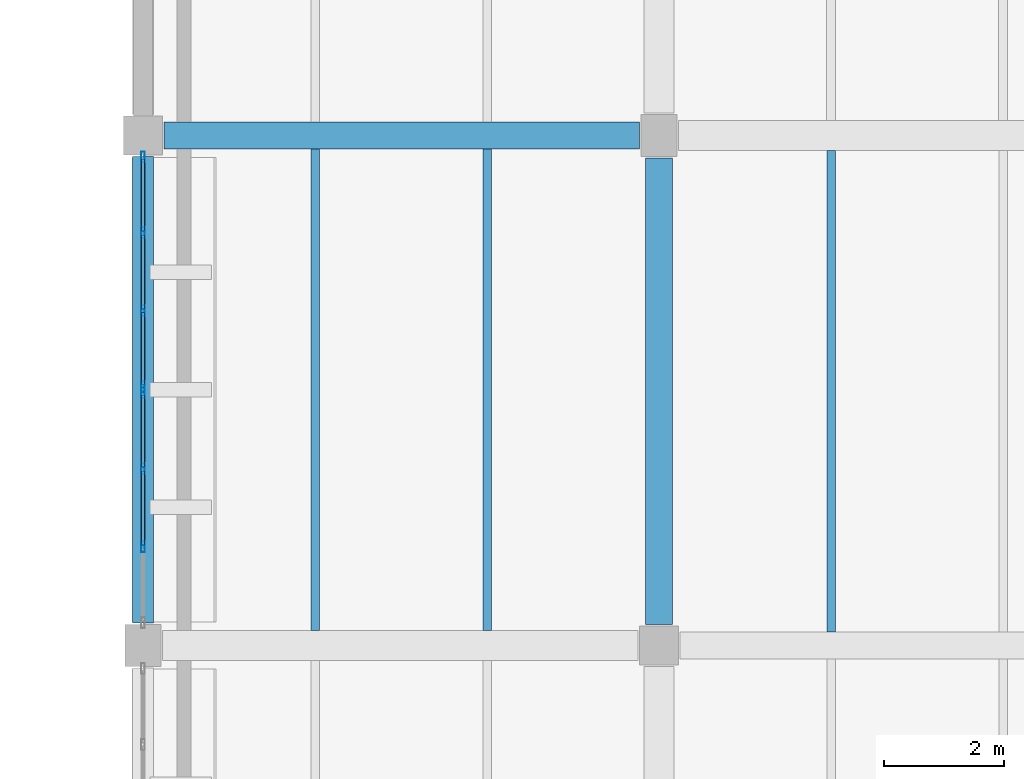
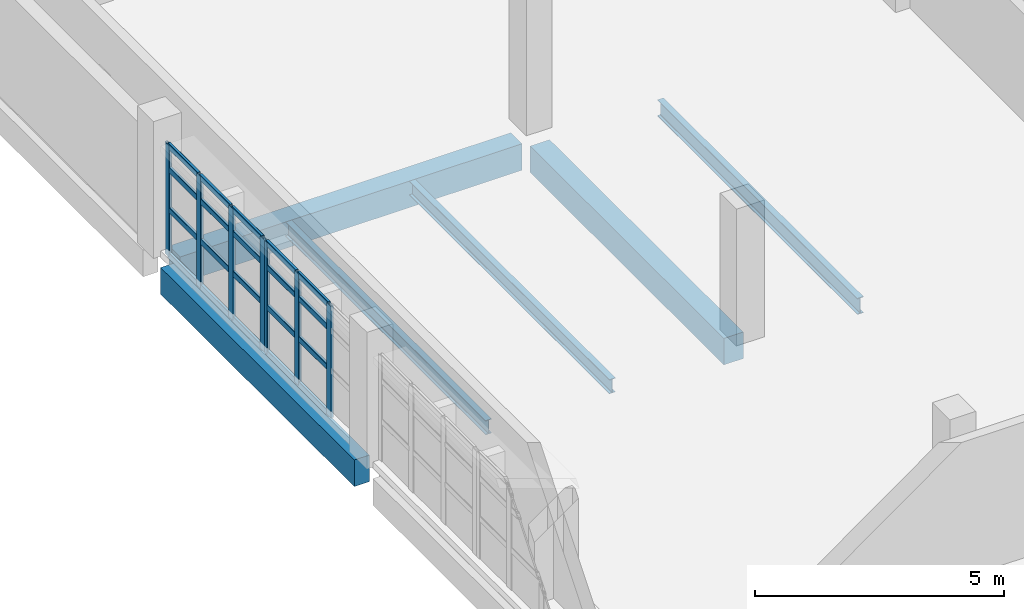
# One storey, part 57 of 93: 27 members, 6 beams, 2 elements without a shape of their own.
"""IFC4 building model written with IfcOpenShell, lengths in metres."""

from ifc_helpers import new_model, si_unit, direction, frame, origin, origin_2d, place, context, subcontext, project, spatial, rectangle, hollow_rectangle, i_section, extrude, material, material_profile, profile_set, type_object, element, aggregate, save


model = new_model("IFC4")

# Units and contexts
model_context = context("Model", 3, precision=1e-05, world=origin(), true_north=direction((0.0, 1.0)))
body_context = subcontext(model_context, "Body", "Model", "MODEL_VIEW")
ifc_project = project(units=[si_unit("LENGTHUNIT", "METRE"), si_unit("AREAUNIT", "SQUARE_METRE"), si_unit("VOLUMEUNIT", "CUBIC_METRE"), si_unit("PLANEANGLEUNIT", "RADIAN"), si_unit("MASSUNIT", "GRAM", prefix="KILO")], contexts=[model_context])

# Site, building, storey
site_placement = place(None, origin())
site = spatial("IfcSite", under=ifc_project, at=site_placement, CompositionType="ELEMENT")
building_placement = place(site_placement, origin())
building = spatial("IfcBuilding", under=site, at=building_placement, Name="Varnakota Cinema and Media Centre", CompositionType="ELEMENT")
storey_placement = place(building_placement, frame((0.0, 0.0, 12.0)))
storey = spatial("IfcBuildingStorey", under=building, at=storey_placement, Name="L03", CompositionType="ELEMENT", Elevation=12.0)

# Beams
ifc_material_1 = material(Name="Concrete M35", Category="concrete")
ifc_material_profile_1 = material_profile(ifc_material_1, rectangle(XDim=0.449951171875, YDim=0.64990234375, at=origin_2d()), Name="RCB 450x650")
ifc_profile_set_1 = profile_set([ifc_material_profile_1], Name="Concrete M35")
beam_type_1 = type_object("IfcBeamType", Name="BM-RC-450x650", PredefinedType="BEAM", material=ifc_profile_set_1)
beam_1_placement = place(storey_placement, frame((0.35009765625, 69.5, -0.5849609375), z_axis=(1.0, 0.0, 0.0), x_axis=(0.0, 1.0, 0.0)))
element("IfcBeam", 1, at=beam_1_placement, inside=storey, type_object=beam_type_1, Name="L03 girder A-B/9", PredefinedType="BEAM", context=body_context, shape_type="SweptSolid", body=[
    extrude(rectangle(XDim=0.449951171875, YDim=0.64990234375, at=origin_2d()), origin(), (0.0, 0.0, 1.0), 7.9248046875),
])
beam_2_placement = place(storey_placement, frame((8.60009765625, 61.35009765625, -0.5849609375), z_axis=(0.0, 1.0, 0.0), x_axis=(-1.0, 0.0, 0.0)))
element("IfcBeam", 2, at=beam_2_placement, inside=storey, type_object=beam_type_1, Name="L03 girder B/8-9", PredefinedType="BEAM", context=body_context, shape_type="SweptSolid", body=[
    extrude(rectangle(XDim=0.449951171875, YDim=0.64990234375, at=origin_2d()), origin(), (0.0, 0.0, 1.0), 7.77490234375),
])
ifc_material_2 = material(Name="Concrete M40", Category="concrete")
ifc_material_profile_2 = material_profile(ifc_material_2, rectangle(XDim=0.35009765625, YDim=0.64990234375, at=origin_2d()), Name="RCB 350x650")
ifc_profile_set_2 = profile_set([ifc_material_profile_2], Name="Concrete M40")
beam_type_2 = type_object("IfcBeamType", Name="BM-SP-350x650", PredefinedType="SPANDREL", material=ifc_profile_set_2)
beam_3_placement = place(storey_placement, frame((0.0, 61.375, -0.5849609375), z_axis=(0.0, 1.0, 0.0), x_axis=(-1.0, 0.0, 0.0)))
element("IfcBeam", 3, at=beam_3_placement, inside=storey, type_object=beam_type_2, Name="L03 girder A/8-9", PredefinedType="SPANDREL", context=body_context, shape_type="SweptSolid", body=[
    extrude(rectangle(XDim=0.35009765625, YDim=0.64990234375, at=origin_2d()), origin(), (0.0, 0.0, 1.0), 7.77490234375),
])
ifc_material_3 = material(Name="Structural steel Grade 350 (E350)", Category="steel")
ifc_material_profile_3 = material_profile(ifc_material_3, i_section(OverallWidth=0.139892578125, OverallDepth=0.35009765625, WebThickness=0.008056640625, FlangeThickness=0.01416015625, FilletRadius=0.013916015625, at=origin_2d()), Name="ISMB 350")
ifc_profile_set_3 = profile_set([ifc_material_profile_3], Name="Structural steel Grade 350 (E350)")
beam_type_3 = type_object("IfcBeamType", Name="BM-ST-ISMB350", PredefinedType="JOIST", material=ifc_profile_set_3)
for number, where, z_axis, x_axis, name in (
    (4, (2.86669921875, 61.25, -0.43505859375), (0.0, 1.0, 0.0), (-1.0, 0.0, 0.0), "L03 steel joist A-B/8-9 #1"),
    (5, (5.7333984375, 61.25, -0.43505859375), (0.0, 1.0, 0.0), (-1.0, 0.0, 0.0), "L03 steel joist A-B/8-9 #2"),
):
    element("IfcBeam", number, at=place(storey_placement, frame(where, z_axis=z_axis, x_axis=x_axis)), inside=storey, type_object=beam_type_3, Name=name, PredefinedType="JOIST", context=body_context, shape_type="SweptSolid", body=[
        extrude(i_section(OverallWidth=0.139892578125, OverallDepth=0.35009765625, WebThickness=0.008056640625, FlangeThickness=0.01416015625, FilletRadius=0.013916015625, at=origin_2d()), origin(), (0.0, 0.0, 1.0), 8.02490234375),
    ])
ifc_material_4 = material(Name="Structural steel Grade 350 (E350)", Category="steel")
ifc_material_profile_4 = material_profile(ifc_material_4, i_section(OverallWidth=0.139892578125, OverallDepth=0.39990234375, WebThickness=0.0087890625, FlangeThickness=0.01611328125, FilletRadius=0.013916015625, at=origin_2d()), Name="ISMB 400")
ifc_profile_set_4 = profile_set([ifc_material_profile_4], Name="Structural steel Grade 350 (E350)")
beam_type_4 = type_object("IfcBeamType", Name="BM-ST-ISMB400", PredefinedType="JOIST", material=ifc_profile_set_4)
beam_4_placement = place(storey_placement, frame((11.466796875, 61.22509765625, -0.4599609375), z_axis=(0.0, 1.0, 0.0), x_axis=(-1.0, 0.0, 0.0)))
element("IfcBeam", 6, at=beam_4_placement, inside=storey, type_object=beam_type_4, Name="L03 steel joist B-C/8-9 #1", PredefinedType="JOIST", context=body_context, shape_type="SweptSolid", body=[
    extrude(i_section(OverallWidth=0.139892578125, OverallDepth=0.39990234375, WebThickness=0.0087890625, FlangeThickness=0.01611328125, FilletRadius=0.013916015625, at=origin_2d()), origin(), (0.0, 0.0, 1.0), 8.02490234375),
])

# Curtain wall, members
ifc_material_5 = material(Name="Thermally broken anodised aluminium AW-6063", Category="aluminium")
curtain_wall_type = type_object("IfcCurtainWallType", Name="CW-STD-389x274", PredefinedType="USERDEFINED", material=ifc_material_5)
curtain_wall_1_placement = place(storey_placement, origin())
curtain_wall_1 = element("IfcCurtainWall", 7, at=curtain_wall_1_placement, inside=storey, type_object=curtain_wall_type, Name="L03 curtain wall CW-L03-V5-W-02-1", ObjectType="UNITISED CURTAIN WALL", PredefinedType="USERDEFINED")
ifc_material_6 = material(Name="Thermally broken anodised aluminium AW-6063", Category="aluminium")
ifc_material_profile_5 = material_profile(ifc_material_6, hollow_rectangle(XDim=0.06494140625, YDim=0.179931640625, WallThickness=0.00390625, InnerFilletRadius=0.00390625, OuterFilletRadius=0.008056640625, at=origin_2d()), Name="AL-MULLION 180x65x4")
ifc_profile_set_5 = profile_set([ifc_material_profile_5], Name="Thermally broken anodised aluminium AW-6063")
member_type_1 = type_object("IfcMemberType", Name="CWM-AL-180", PredefinedType="MULLION", material=ifc_profile_set_5)
member_1_placement = place(storey_placement, frame((0.0, 69.142578125, 0.0), z_axis=(0.0, 0.0, 1.0), x_axis=(1.0, 0.0, 0.0)))
member_1 = element("IfcMember", 8, at=member_1_placement, type_object=member_type_1, Name="CW46 mullion 1", PredefinedType="MULLION", context=body_context, shape_type="SweptSolid", body=[
    extrude(hollow_rectangle(XDim=0.06494140625, YDim=0.179931640625, WallThickness=0.00390625, InnerFilletRadius=0.00390625, OuterFilletRadius=0.008056640625, at=origin_2d()), origin(), (0.0, 0.0, 1.0), 2.735107421875),
])
member_2_placement = place(storey_placement, frame((0.0, 67.87744140625, 0.0), z_axis=(0.0, 0.0, 1.0), x_axis=(1.0, 0.0, 0.0)))
member_2 = element("IfcMember", 9, at=member_2_placement, type_object=member_type_1, Name="CW46 mullion 2", PredefinedType="MULLION", context=body_context, shape_type="SweptSolid", body=[
    extrude(hollow_rectangle(XDim=0.06494140625, YDim=0.179931640625, WallThickness=0.00390625, InnerFilletRadius=0.00390625, OuterFilletRadius=0.008056640625, at=origin_2d()), origin(), (0.0, 0.0, 1.0), 2.735107421875),
])
member_3_placement = place(storey_placement, frame((0.0, 66.580078125, 0.0), z_axis=(0.0, 0.0, 1.0), x_axis=(1.0, 0.0, 0.0)))
member_3 = element("IfcMember", 10, at=member_3_placement, type_object=member_type_1, Name="CW46 mullion 3", PredefinedType="MULLION", context=body_context, shape_type="SweptSolid", body=[
    extrude(hollow_rectangle(XDim=0.06494140625, YDim=0.179931640625, WallThickness=0.00390625, InnerFilletRadius=0.00390625, OuterFilletRadius=0.008056640625, at=origin_2d()), origin(), (0.0, 0.0, 1.0), 2.735107421875),
])
member_4_placement = place(storey_placement, frame((0.0, 65.31494140625, 0.0), z_axis=(0.0, 0.0, 1.0), x_axis=(1.0, 0.0, 0.0)))
member_4 = element("IfcMember", 11, at=member_4_placement, type_object=member_type_1, Name="CW46 mullion 4", PredefinedType="MULLION", context=body_context, shape_type="SweptSolid", body=[
    extrude(hollow_rectangle(XDim=0.06494140625, YDim=0.179931640625, WallThickness=0.00390625, InnerFilletRadius=0.00390625, OuterFilletRadius=0.008056640625, at=origin_2d()), origin(), (0.0, 0.0, 1.0), 2.735107421875),
])

curtain_wall_2_placement = place(storey_placement, origin())
curtain_wall_2 = element("IfcCurtainWall", 12, at=curtain_wall_2_placement, inside=storey, type_object=curtain_wall_type, Name="L03 curtain wall CW-L03-V5-W-02-2", ObjectType="UNITISED CURTAIN WALL", PredefinedType="USERDEFINED")
member_5_placement = place(storey_placement, frame((0.0, 65.2099609375, 0.0), z_axis=(0.0, 0.0, 1.0), x_axis=(1.0, 0.0, 0.0)))
member_5 = element("IfcMember", 13, at=member_5_placement, type_object=member_type_1, Name="CW46 mullion 1", PredefinedType="MULLION", context=body_context, shape_type="SweptSolid", body=[
    extrude(hollow_rectangle(XDim=0.06494140625, YDim=0.179931640625, WallThickness=0.00390625, InnerFilletRadius=0.00390625, OuterFilletRadius=0.008056640625, at=origin_2d()), origin(), (0.0, 0.0, 1.0), 2.735107421875),
])
member_6_placement = place(storey_placement, frame((0.0, 63.945068359375, 0.0), z_axis=(0.0, 0.0, 1.0), x_axis=(1.0, 0.0, 0.0)))
member_6 = element("IfcMember", 14, at=member_6_placement, type_object=member_type_1, Name="CW46 mullion 2", PredefinedType="MULLION", context=body_context, shape_type="SweptSolid", body=[
    extrude(hollow_rectangle(XDim=0.06494140625, YDim=0.179931640625, WallThickness=0.00390625, InnerFilletRadius=0.00390625, OuterFilletRadius=0.008056640625, at=origin_2d()), origin(), (0.0, 0.0, 1.0), 2.735107421875),
])
member_7_placement = place(storey_placement, frame((0.0, 62.6474609375, 0.0), z_axis=(0.0, 0.0, 1.0), x_axis=(1.0, 0.0, 0.0)))
member_7 = element("IfcMember", 15, at=member_7_placement, type_object=member_type_1, Name="CW46 mullion 3", PredefinedType="MULLION", context=body_context, shape_type="SweptSolid", body=[
    extrude(hollow_rectangle(XDim=0.06494140625, YDim=0.179931640625, WallThickness=0.00390625, InnerFilletRadius=0.00390625, OuterFilletRadius=0.008056640625, at=origin_2d()), origin(), (0.0, 0.0, 1.0), 2.735107421875),
])

# Member
ifc_material_7 = material(Name="Thermally broken anodised aluminium AW-6063", Category="aluminium")
ifc_material_profile_6 = material_profile(ifc_material_7, hollow_rectangle(XDim=0.06494140625, YDim=0.139892578125, WallThickness=0.00390625, InnerFilletRadius=0.00390625, OuterFilletRadius=0.008056640625, at=origin_2d()), Name="AL-TRANSOM 140x65x4")
ifc_profile_set_6 = profile_set([ifc_material_profile_6], Name="Thermally broken anodised aluminium AW-6063")
member_type_2 = type_object("IfcMemberType", Name="CWT-AL-140", PredefinedType="USERDEFINED", material=ifc_profile_set_6)
member_8_placement = place(storey_placement, frame((0.0, 69.110107421875, 0.032470703125), z_axis=(0.0, -1.0, 0.0), x_axis=(1.0, 0.0, 0.0)))
member_8 = element("IfcMember", 16, at=member_8_placement, type_object=member_type_2, Name="CW46 transom 1.1", ObjectType="TRANSOM", PredefinedType="USERDEFINED", context=body_context, shape_type="SweptSolid", body=[
    extrude(hollow_rectangle(XDim=0.06494140625, YDim=0.139892578125, WallThickness=0.00390625, InnerFilletRadius=0.00390625, OuterFilletRadius=0.008056640625, at=origin_2d()), origin(), (0.0, 0.0, 1.0), 1.2001953125),
])

member_9_placement = place(storey_placement, frame((0.0, 69.110107421875, 1.148681640625), z_axis=(0.0, -1.0, 0.0), x_axis=(1.0, 0.0, 0.0)))
member_9 = element("IfcMember", 17, at=member_9_placement, type_object=member_type_2, Name="CW46 transom 1.2", ObjectType="TRANSOM", PredefinedType="USERDEFINED", context=body_context, shape_type="SweptSolid", body=[
    extrude(hollow_rectangle(XDim=0.06494140625, YDim=0.139892578125, WallThickness=0.00390625, InnerFilletRadius=0.00390625, OuterFilletRadius=0.008056640625, at=origin_2d()), origin(), (0.0, 0.0, 1.0), 1.2001953125),
])

member_10_placement = place(storey_placement, frame((0.0, 69.110107421875, 2.13330078125), z_axis=(0.0, -1.0, 0.0), x_axis=(1.0, 0.0, 0.0)))
member_10 = element("IfcMember", 18, at=member_10_placement, type_object=member_type_2, Name="CW46 transom 1.3", ObjectType="TRANSOM", PredefinedType="USERDEFINED", context=body_context, shape_type="SweptSolid", body=[
    extrude(hollow_rectangle(XDim=0.06494140625, YDim=0.139892578125, WallThickness=0.00390625, InnerFilletRadius=0.00390625, OuterFilletRadius=0.008056640625, at=origin_2d()), origin(), (0.0, 0.0, 1.0), 1.2001953125),
])

member_11_placement = place(storey_placement, frame((0.0, 69.110107421875, 2.702392578125), z_axis=(0.0, -1.0, 0.0), x_axis=(1.0, 0.0, 0.0)))
member_11 = element("IfcMember", 19, at=member_11_placement, type_object=member_type_2, Name="CW46 transom 1.4", ObjectType="TRANSOM", PredefinedType="USERDEFINED", context=body_context, shape_type="SweptSolid", body=[
    extrude(hollow_rectangle(XDim=0.06494140625, YDim=0.139892578125, WallThickness=0.00390625, InnerFilletRadius=0.00390625, OuterFilletRadius=0.008056640625, at=origin_2d()), origin(), (0.0, 0.0, 1.0), 1.2001953125),
])

member_12_placement = place(storey_placement, frame((0.0, 67.844970703125, 0.032470703125), z_axis=(0.0, -1.0, 0.0), x_axis=(1.0, 0.0, 0.0)))
member_12 = element("IfcMember", 20, at=member_12_placement, type_object=member_type_2, Name="CW46 transom 2.1", ObjectType="TRANSOM", PredefinedType="USERDEFINED", context=body_context, shape_type="SweptSolid", body=[
    extrude(hollow_rectangle(XDim=0.06494140625, YDim=0.139892578125, WallThickness=0.00390625, InnerFilletRadius=0.00390625, OuterFilletRadius=0.008056640625, at=origin_2d()), origin(), (0.0, 0.0, 1.0), 1.232421875),
])

member_13_placement = place(storey_placement, frame((0.0, 67.844970703125, 1.148681640625), z_axis=(0.0, -1.0, 0.0), x_axis=(1.0, 0.0, 0.0)))
member_13 = element("IfcMember", 21, at=member_13_placement, type_object=member_type_2, Name="CW46 transom 2.2", ObjectType="TRANSOM", PredefinedType="USERDEFINED", context=body_context, shape_type="SweptSolid", body=[
    extrude(hollow_rectangle(XDim=0.06494140625, YDim=0.139892578125, WallThickness=0.00390625, InnerFilletRadius=0.00390625, OuterFilletRadius=0.008056640625, at=origin_2d()), origin(), (0.0, 0.0, 1.0), 1.232421875),
])

member_14_placement = place(storey_placement, frame((0.0, 67.844970703125, 2.13330078125), z_axis=(0.0, -1.0, 0.0), x_axis=(1.0, 0.0, 0.0)))
member_14 = element("IfcMember", 22, at=member_14_placement, type_object=member_type_2, Name="CW46 transom 2.3", ObjectType="TRANSOM", PredefinedType="USERDEFINED", context=body_context, shape_type="SweptSolid", body=[
    extrude(hollow_rectangle(XDim=0.06494140625, YDim=0.139892578125, WallThickness=0.00390625, InnerFilletRadius=0.00390625, OuterFilletRadius=0.008056640625, at=origin_2d()), origin(), (0.0, 0.0, 1.0), 1.232421875),
])

member_15_placement = place(storey_placement, frame((0.0, 67.844970703125, 2.702392578125), z_axis=(0.0, -1.0, 0.0), x_axis=(1.0, 0.0, 0.0)))
member_15 = element("IfcMember", 23, at=member_15_placement, type_object=member_type_2, Name="CW46 transom 2.4", ObjectType="TRANSOM", PredefinedType="USERDEFINED", context=body_context, shape_type="SweptSolid", body=[
    extrude(hollow_rectangle(XDim=0.06494140625, YDim=0.139892578125, WallThickness=0.00390625, InnerFilletRadius=0.00390625, OuterFilletRadius=0.008056640625, at=origin_2d()), origin(), (0.0, 0.0, 1.0), 1.232421875),
])

member_16_placement = place(storey_placement, frame((0.0, 66.547607421875, 0.032470703125), z_axis=(0.0, -1.0, 0.0), x_axis=(1.0, 0.0, 0.0)))
member_16 = element("IfcMember", 24, at=member_16_placement, type_object=member_type_2, Name="CW46 transom 3.1", ObjectType="TRANSOM", PredefinedType="USERDEFINED", context=body_context, shape_type="SweptSolid", body=[
    extrude(hollow_rectangle(XDim=0.06494140625, YDim=0.139892578125, WallThickness=0.00390625, InnerFilletRadius=0.00390625, OuterFilletRadius=0.008056640625, at=origin_2d()), origin(), (0.0, 0.0, 1.0), 1.2001953125),
])

member_17_placement = place(storey_placement, frame((0.0, 66.547607421875, 1.148681640625), z_axis=(0.0, -1.0, 0.0), x_axis=(1.0, 0.0, 0.0)))
member_17 = element("IfcMember", 25, at=member_17_placement, type_object=member_type_2, Name="CW46 transom 3.2", ObjectType="TRANSOM", PredefinedType="USERDEFINED", context=body_context, shape_type="SweptSolid", body=[
    extrude(hollow_rectangle(XDim=0.06494140625, YDim=0.139892578125, WallThickness=0.00390625, InnerFilletRadius=0.00390625, OuterFilletRadius=0.008056640625, at=origin_2d()), origin(), (0.0, 0.0, 1.0), 1.2001953125),
])

member_18_placement = place(storey_placement, frame((0.0, 66.547607421875, 2.13330078125), z_axis=(0.0, -1.0, 0.0), x_axis=(1.0, 0.0, 0.0)))
member_18 = element("IfcMember", 26, at=member_18_placement, type_object=member_type_2, Name="CW46 transom 3.3", ObjectType="TRANSOM", PredefinedType="USERDEFINED", context=body_context, shape_type="SweptSolid", body=[
    extrude(hollow_rectangle(XDim=0.06494140625, YDim=0.139892578125, WallThickness=0.00390625, InnerFilletRadius=0.00390625, OuterFilletRadius=0.008056640625, at=origin_2d()), origin(), (0.0, 0.0, 1.0), 1.2001953125),
])

member_19_placement = place(storey_placement, frame((0.0, 66.547607421875, 2.702392578125), z_axis=(0.0, -1.0, 0.0), x_axis=(1.0, 0.0, 0.0)))
member_19 = element("IfcMember", 27, at=member_19_placement, type_object=member_type_2, Name="CW46 transom 3.4", ObjectType="TRANSOM", PredefinedType="USERDEFINED", context=body_context, shape_type="SweptSolid", body=[
    extrude(hollow_rectangle(XDim=0.06494140625, YDim=0.139892578125, WallThickness=0.00390625, InnerFilletRadius=0.00390625, OuterFilletRadius=0.008056640625, at=origin_2d()), origin(), (0.0, 0.0, 1.0), 1.2001953125),
])

aggregate(curtain_wall_1, [member_1, member_2, member_3, member_4, member_8, member_9, member_10, member_11, member_12, member_13, member_14, member_15, member_16, member_17, member_18, member_19])

member_20_placement = place(storey_placement, frame((0.0, 65.177490234375, 0.032470703125), z_axis=(0.0, -1.0, 0.0), x_axis=(1.0, 0.0, 0.0)))
member_20 = element("IfcMember", 28, at=member_20_placement, type_object=member_type_2, Name="CW46 transom 1.1", ObjectType="TRANSOM", PredefinedType="USERDEFINED", context=body_context, shape_type="SweptSolid", body=[
    extrude(hollow_rectangle(XDim=0.06494140625, YDim=0.139892578125, WallThickness=0.00390625, InnerFilletRadius=0.00390625, OuterFilletRadius=0.008056640625, at=origin_2d()), origin(), (0.0, 0.0, 1.0), 1.199951171875),
])

member_21_placement = place(storey_placement, frame((0.0, 65.177490234375, 1.148681640625), z_axis=(0.0, -1.0, 0.0), x_axis=(1.0, 0.0, 0.0)))
member_21 = element("IfcMember", 29, at=member_21_placement, type_object=member_type_2, Name="CW46 transom 1.2", ObjectType="TRANSOM", PredefinedType="USERDEFINED", context=body_context, shape_type="SweptSolid", body=[
    extrude(hollow_rectangle(XDim=0.06494140625, YDim=0.139892578125, WallThickness=0.00390625, InnerFilletRadius=0.00390625, OuterFilletRadius=0.008056640625, at=origin_2d()), origin(), (0.0, 0.0, 1.0), 1.199951171875),
])

member_22_placement = place(storey_placement, frame((0.0, 65.177490234375, 2.13330078125), z_axis=(0.0, -1.0, 0.0), x_axis=(1.0, 0.0, 0.0)))
member_22 = element("IfcMember", 30, at=member_22_placement, type_object=member_type_2, Name="CW46 transom 1.3", ObjectType="TRANSOM", PredefinedType="USERDEFINED", context=body_context, shape_type="SweptSolid", body=[
    extrude(hollow_rectangle(XDim=0.06494140625, YDim=0.139892578125, WallThickness=0.00390625, InnerFilletRadius=0.00390625, OuterFilletRadius=0.008056640625, at=origin_2d()), origin(), (0.0, 0.0, 1.0), 1.199951171875),
])

member_23_placement = place(storey_placement, frame((0.0, 65.177490234375, 2.702392578125), z_axis=(0.0, -1.0, 0.0), x_axis=(1.0, 0.0, 0.0)))
member_23 = element("IfcMember", 31, at=member_23_placement, type_object=member_type_2, Name="CW46 transom 1.4", ObjectType="TRANSOM", PredefinedType="USERDEFINED", context=body_context, shape_type="SweptSolid", body=[
    extrude(hollow_rectangle(XDim=0.06494140625, YDim=0.139892578125, WallThickness=0.00390625, InnerFilletRadius=0.00390625, OuterFilletRadius=0.008056640625, at=origin_2d()), origin(), (0.0, 0.0, 1.0), 1.199951171875),
])

member_24_placement = place(storey_placement, frame((0.0, 63.91259765625, 0.032470703125), z_axis=(0.0, -1.0, 0.0), x_axis=(1.0, 0.0, 0.0)))
member_24 = element("IfcMember", 32, at=member_24_placement, type_object=member_type_2, Name="CW46 transom 2.1", ObjectType="TRANSOM", PredefinedType="USERDEFINED", context=body_context, shape_type="SweptSolid", body=[
    extrude(hollow_rectangle(XDim=0.06494140625, YDim=0.139892578125, WallThickness=0.00390625, InnerFilletRadius=0.00390625, OuterFilletRadius=0.008056640625, at=origin_2d()), origin(), (0.0, 0.0, 1.0), 1.232666015625),
])

member_25_placement = place(storey_placement, frame((0.0, 63.91259765625, 1.148681640625), z_axis=(0.0, -1.0, 0.0), x_axis=(1.0, 0.0, 0.0)))
member_25 = element("IfcMember", 33, at=member_25_placement, type_object=member_type_2, Name="CW46 transom 2.2", ObjectType="TRANSOM", PredefinedType="USERDEFINED", context=body_context, shape_type="SweptSolid", body=[
    extrude(hollow_rectangle(XDim=0.06494140625, YDim=0.139892578125, WallThickness=0.00390625, InnerFilletRadius=0.00390625, OuterFilletRadius=0.008056640625, at=origin_2d()), origin(), (0.0, 0.0, 1.0), 1.232666015625),
])

member_26_placement = place(storey_placement, frame((0.0, 63.91259765625, 2.13330078125), z_axis=(0.0, -1.0, 0.0), x_axis=(1.0, 0.0, 0.0)))
member_26 = element("IfcMember", 34, at=member_26_placement, type_object=member_type_2, Name="CW46 transom 2.3", ObjectType="TRANSOM", PredefinedType="USERDEFINED", context=body_context, shape_type="SweptSolid", body=[
    extrude(hollow_rectangle(XDim=0.06494140625, YDim=0.139892578125, WallThickness=0.00390625, InnerFilletRadius=0.00390625, OuterFilletRadius=0.008056640625, at=origin_2d()), origin(), (0.0, 0.0, 1.0), 1.232666015625),
])

member_27_placement = place(storey_placement, frame((0.0, 63.91259765625, 2.702392578125), z_axis=(0.0, -1.0, 0.0), x_axis=(1.0, 0.0, 0.0)))
member_27 = element("IfcMember", 35, at=member_27_placement, type_object=member_type_2, Name="CW46 transom 2.4", ObjectType="TRANSOM", PredefinedType="USERDEFINED", context=body_context, shape_type="SweptSolid", body=[
    extrude(hollow_rectangle(XDim=0.06494140625, YDim=0.139892578125, WallThickness=0.00390625, InnerFilletRadius=0.00390625, OuterFilletRadius=0.008056640625, at=origin_2d()), origin(), (0.0, 0.0, 1.0), 1.232666015625),
])

aggregate(curtain_wall_2, [member_5, member_6, member_7, member_20, member_21, member_22, member_23, member_24, member_25, member_26, member_27])

save(model, "model.ifc")
